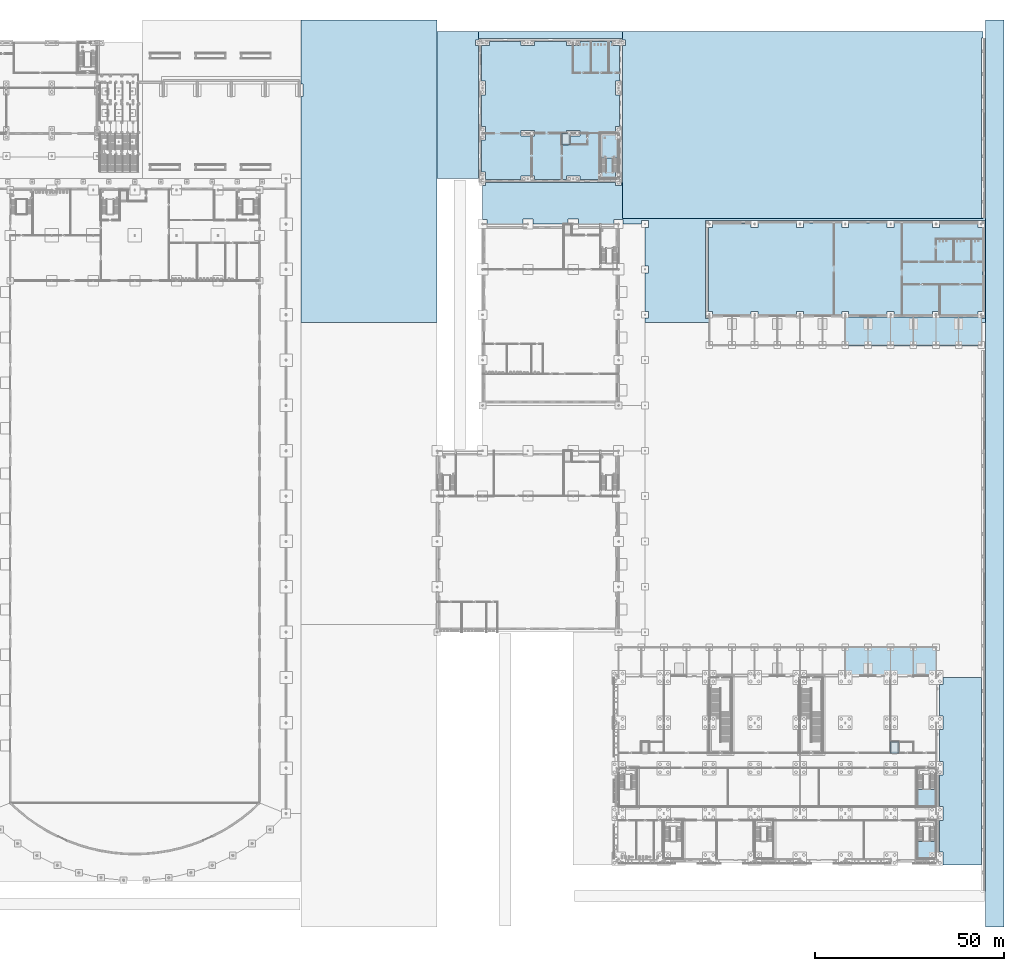
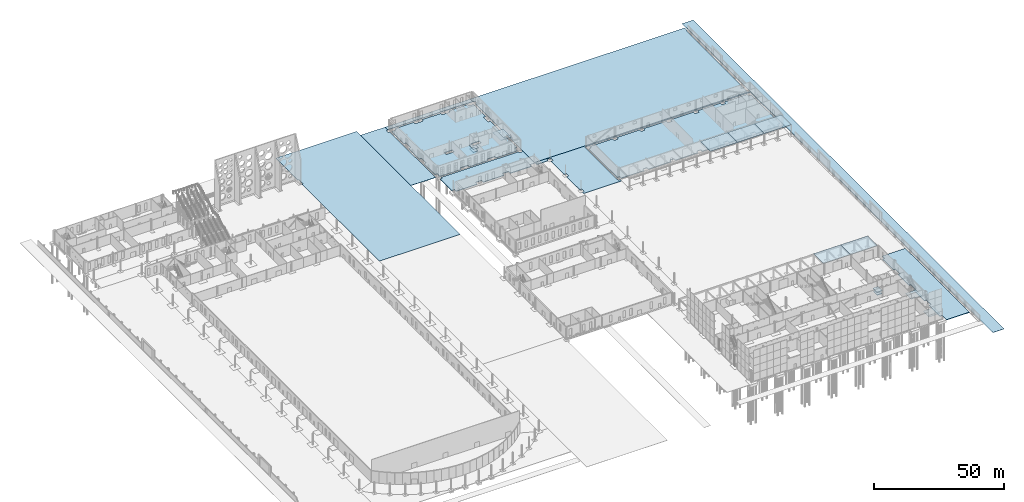
# One storey, part 58 of 132: 21 slabs, 3 elements without a shape of their own.
"""IFC4 building model written with IfcOpenShell, lengths in metres."""

from ifc_helpers import new_model, si_unit, direction, frame, origin, place, context, subcontext, project, spatial, polyline, outline, extrude, material, layer, layer_set, type_object, element, aggregate, save


model = new_model("IFC4")

# Units and contexts
model_context = context("Model", 3, precision=1e-05, world=origin(), true_north=direction((0.0, 1.0)))
body_context = subcontext(model_context, "Body", "Model", "MODEL_VIEW")
ifc_project = project(units=[si_unit("LENGTHUNIT", "METRE"), si_unit("AREAUNIT", "SQUARE_METRE"), si_unit("VOLUMEUNIT", "CUBIC_METRE"), si_unit("PLANEANGLEUNIT", "RADIAN"), si_unit("MASSUNIT", "GRAM", prefix="KILO")], contexts=[model_context])

# Site, building, storey
site_placement = place(None, origin())
site = spatial("IfcSite", under=ifc_project, at=site_placement, CompositionType="ELEMENT")
building_placement = place(site_placement, origin())
building = spatial("IfcBuilding", under=site, at=building_placement, Name="Ravi Spectrum Wholesale Market", CompositionType="ELEMENT")
storey_placement = place(building_placement, origin())
storey = spatial("IfcBuildingStorey", under=building, at=storey_placement, Name="L00", CompositionType="ELEMENT", Elevation=0.0)

# Slabs
ifc_material_1 = material(Name="Asphalt wearing course")
ifc_layer_1 = layer(ifc_material_1, 0.14990234375)
ifc_layer_set_1 = layer_set([ifc_layer_1], Name="Asphalt wearing course")
slab_type_1 = type_object("IfcSlabType", Name="Asphalt car park paving 150", PredefinedType="BASESLAB", material=ifc_layer_set_1)
slab_1_placement = place(storey_placement, frame((0.0, 0.0, -0.14990234375)))
element("IfcSlab", 1, at=slab_1_placement, inside=storey, type_object=slab_type_1, Name="Surface Car Park Paving", PredefinedType="BASESLAB", context=body_context, shape_type="SweptSolid", body=[
    extrude(outline(polyline([(294.10009765625, 187.60009765625), (294.10009765625, 235.199951171875), (294.5, 235.199951171875), (294.5, 237.0), (199.0, 237.0), (199.0, 235.06005859375), (199.06005859375, 235.06005859375), (199.06005859375, 234.75), (199.800048828125, 234.75), (199.800048828125, 233.25), (199.06005859375, 233.25), (199.06005859375, 196.93994140625), (199.0, 196.93994140625), (199.0, 187.5), (294.5, 187.5), (294.5, 187.60009765625), (294.10009765625, 187.60009765625)])), origin(), (0.0, 0.0, 1.0), 0.14990234375),
])
slab_2_placement = place(storey_placement, frame((0.0, 0.0, -0.14990234375)))
element("IfcSlab", 2, at=slab_2_placement, inside=storey, type_object=slab_type_1, Name="Motorcycle Parking Paving", PredefinedType="BASESLAB", context=body_context, shape_type="SweptSolid", body=[
    extrude(outline(polyline([(150.0, 198.0), (160.93994140625, 198.0), (160.93994140625, 233.25), (160.199951171875, 233.25), (160.199951171875, 234.75), (160.93994140625, 234.75), (160.93994140625, 235.06005859375), (161.0, 235.06005859375), (161.0, 237.0), (150.0, 237.0), (150.0, 198.0)])), origin(), (0.0, 0.0, 1.0), 0.14990234375),
])
ifc_material_2 = material(Name="Clay paver")
ifc_layer_2 = layer(ifc_material_2, 0.1201171875)
ifc_layer_set_2 = layer_set([ifc_layer_2], Name="Clay paver")
slab_type_2 = type_object("IfcSlabType", Name="Clay paver on bedding 120", PredefinedType="BASESLAB", material=ifc_layer_set_2)
slab_3_placement = place(storey_placement, frame((0.0, 0.0, -0.1201171875)))
element("IfcSlab", 3, at=slab_3_placement, inside=storey, type_object=slab_type_2, Name="East Lane Footway Paving", PredefinedType="BASESLAB", context=body_context, shape_type="SweptSolid", body=[
    extrude(outline(polyline([(300.0, 0.0), (300.0, 240.0), (295.10009765625, 240.0), (295.10009765625, 0.0), (300.0, 0.0)])), origin(), (0.0, 0.0, 1.0), 0.1201171875),
])
slab_4_placement = place(storey_placement, frame((0.0, 0.0, -0.1201171875)))
element("IfcSlab", 4, at=slab_4_placement, inside=storey, type_object=slab_type_2, Name="Public Passage Paving North", PredefinedType="BASESLAB", context=body_context, shape_type="SweptSolid", body=[
    extrude(outline(polyline([(114.5, 219.75), (114.0, 219.75), (114.0, 160.0), (150.0, 160.0), (150.0, 240.0), (114.0, 240.0), (114.0, 223.0), (114.5, 223.0), (114.5, 219.75)])), origin(), (0.0, 0.0, 1.0), 0.1201171875),
])
ifc_material_3 = material(Name="Concrete C30/37", Category="concrete")
ifc_layer_3 = layer(ifc_material_3, 0.25)
ifc_layer_set_3 = layer_set([ifc_layer_3], Name="Concrete C30/37")
slab_type_3 = type_object("IfcSlabType", Name="Concrete paving C30/37 250", PredefinedType="BASESLAB", material=ifc_layer_set_3)
slab_5_placement = place(storey_placement, frame((0.0, 0.0, -0.25)))
element("IfcSlab", 5, at=slab_5_placement, inside=storey, type_object=slab_type_3, Name="East Yard Paving", PredefinedType="BASESLAB", context=body_context, shape_type="SweptSolid", body=[
    extrude(outline(polyline([(283.800048828125, 19.800048828125), (283.800048828125, 16.39990234375), (294.10009765625, 16.39990234375), (294.10009765625, 66.0), (283.800048828125, 66.0), (283.800048828125, 64.199951171875), (282.89990234375, 64.199951171875), (282.89990234375, 55.800048828125), (283.800048828125, 55.800048828125), (283.800048828125, 52.199951171875), (282.89990234375, 52.199951171875), (282.89990234375, 43.800048828125), (283.800048828125, 43.800048828125), (283.800048828125, 40.199951171875), (282.89990234375, 40.199951171875), (282.89990234375, 31.800048828125), (283.800048828125, 31.800048828125), (283.800048828125, 28.199951171875), (282.89990234375, 28.199951171875), (282.89990234375, 19.800048828125), (283.800048828125, 19.800048828125)])), origin(), (0.0, 0.0, 1.0), 0.25),
])
slab_6_placement = place(storey_placement, frame((0.0, 0.0, -0.25)))
element("IfcSlab", 6, at=slab_6_placement, inside=storey, type_object=slab_type_3, Name="Yard paving", PredefinedType="BASESLAB", context=body_context, shape_type="SweptSolid", body=[
    extrude(outline(polyline([(272.27490234375, 45.875), (272.27490234375, 49.074951171875), (269.875, 49.074951171875), (269.875, 45.875), (272.27490234375, 45.875)])), origin(), (0.0, 0.0, 1.0), 0.25),
])
slab_7_placement = place(storey_placement, frame((0.0, 0.0, -0.25)))
element("IfcSlab", 7, at=slab_7_placement, inside=storey, type_object=slab_type_3, Name="Central Court Paving", PredefinedType="BASESLAB", context=body_context, shape_type="SweptSolid", body=[
    extrude(outline(polyline([(205.89990234375, 162.89990234375), (205.89990234375, 161.10009765625), (205.0, 161.10009765625), (205.0, 160.0), (222.0, 160.0), (222.0, 161.06005859375), (221.06005859375, 161.06005859375), (221.06005859375, 186.93994140625), (294.93994140625, 186.93994140625), (294.93994140625, 161.06005859375), (294.0, 161.06005859375), (294.0, 160.0), (295.10009765625, 160.0), (295.10009765625, 187.60009765625), (294.5, 187.60009765625), (294.5, 187.5), (199.0, 187.5), (199.0, 196.93994140625), (198.75, 196.93994140625), (198.75, 196.199951171875), (197.25, 196.199951171875), (197.25, 196.93994140625), (162.75, 196.93994140625), (162.75, 196.199951171875), (162.0, 196.199951171875), (162.0, 187.199951171875), (163.199951171875, 187.199951171875), (163.199951171875, 186.0), (172.64990234375, 186.0), (172.64990234375, 187.35009765625), (175.35009765625, 187.35009765625), (175.35009765625, 186.0), (184.64990234375, 186.0), (184.64990234375, 187.35009765625), (187.35009765625, 187.35009765625), (187.35009765625, 186.0), (196.800048828125, 186.0), (196.800048828125, 187.199951171875), (199.199951171875, 187.199951171875), (199.199951171875, 186.0), (204.10009765625, 186.0), (204.10009765625, 186.89990234375), (205.89990234375, 186.89990234375), (205.89990234375, 185.10009765625), (205.0, 185.10009765625), (205.0, 174.89990234375), (205.89990234375, 174.89990234375), (205.89990234375, 173.10009765625), (205.0, 173.10009765625), (205.0, 162.89990234375), (205.89990234375, 162.89990234375)])), origin(), (0.0, 0.0, 1.0), 0.25),
])
slab_8_placement = place(storey_placement, frame((0.0, 0.0, -0.25)))
element("IfcSlab", 8, at=slab_8_placement, inside=storey, type_object=slab_type_3, Name="Yard paving", PredefinedType="BASESLAB", context=body_context, shape_type="SweptSolid", body=[
    extrude(outline(polyline([(185.27490234375, 209.25), (184.199951171875, 209.25), (184.199951171875, 210.125), (182.875, 210.125), (182.875, 206.925048828125), (185.27490234375, 206.925048828125), (185.27490234375, 209.25)])), origin(), (0.0, 0.0, 1.0), 0.25),
])
slab_9_placement = place(storey_placement, frame((0.0, 0.0, -0.25)))
element("IfcSlab", 9, at=slab_9_placement, inside=storey, type_object=slab_type_3, Name="Central Court Paving", PredefinedType="BASESLAB", context=body_context, shape_type="SweptSolid", body=[
    extrude(outline(polyline([(161.0, 237.0), (161.0, 235.06005859375), (199.0, 235.06005859375), (199.0, 237.0), (161.0, 237.0)])), origin(), (0.0, 0.0, 1.0), 0.25),
])
ifc_material_4 = material(Name="Concrete C35/45", Category="concrete")
ifc_layer_4 = layer(ifc_material_4, 0.300048828125)
ifc_layer_set_4 = layer_set([ifc_layer_4], Name="Concrete C35/45")
slab_type_4 = type_object("IfcSlabType", Name="Ground slab 300", PredefinedType="BASESLAB", material=ifc_layer_set_4)
slab_10_placement = place(storey_placement, frame((0.0, 0.0, -0.300048828125)))
element("IfcSlab", 10, at=slab_10_placement, inside=storey, type_object=slab_type_4, Name="Auction floor slab", PredefinedType="BASESLAB", context=body_context, shape_type="SweptSolid", body=[
    extrude(outline(polyline([(198.25, 199.800048828125), (197.25, 199.800048828125), (197.25, 197.75), (187.800048828125, 197.75), (187.800048828125, 198.75), (184.199951171875, 198.75), (184.199951171875, 197.75), (175.800048828125, 197.75), (175.800048828125, 198.75), (172.199951171875, 198.75), (172.199951171875, 197.75), (162.75, 197.75), (162.75, 199.800048828125), (161.75, 199.800048828125), (161.75, 208.199951171875), (162.75, 208.199951171875), (162.75, 211.800048828125), (161.75, 211.800048828125), (161.75, 220.199951171875), (162.75, 220.199951171875), (162.75, 223.800048828125), (161.75, 223.800048828125), (161.75, 233.25), (163.800048828125, 233.25), (163.800048828125, 234.25), (172.199951171875, 234.25), (172.199951171875, 233.25), (175.800048828125, 233.25), (175.800048828125, 234.25), (184.199951171875, 234.25), (184.199951171875, 233.25), (187.800048828125, 233.25), (187.800048828125, 234.25), (196.199951171875, 234.25), (196.199951171875, 233.25), (198.25, 233.25), (198.25, 223.800048828125), (197.25, 223.800048828125), (197.25, 220.199951171875), (198.25, 220.199951171875), (198.25, 211.800048828125), (197.25, 211.800048828125), (197.25, 208.199951171875), (198.25, 208.199951171875), (198.25, 199.800048828125)]), holes=[polyline([(185.27490234375, 206.925048828125), (185.27490234375, 209.25), (187.800048828125, 209.25), (187.800048828125, 210.75), (184.199951171875, 210.75), (184.199951171875, 210.125), (182.875, 210.125), (182.875, 206.925048828125), (185.27490234375, 206.925048828125)]), polyline([(175.800048828125, 209.25), (175.800048828125, 210.75), (172.199951171875, 210.75), (172.199951171875, 209.25), (175.800048828125, 209.25)])]), origin(), (0.0, 0.0, 1.0), 0.300048828125),
])
slab_11_placement = place(storey_placement, frame((0.0, 0.0, -0.300048828125)))
element("IfcSlab", 11, at=slab_11_placement, inside=storey, type_object=slab_type_4, Name="Store floor slab", PredefinedType="BASESLAB", context=body_context, shape_type="SweptSolid", body=[
    extrude(outline(polyline([(294.25, 162.89990234375), (293.10009765625, 162.89990234375), (293.10009765625, 161.75), (282.89990234375, 161.75), (282.89990234375, 162.89990234375), (281.10009765625, 162.89990234375), (281.10009765625, 161.75), (270.89990234375, 161.75), (270.89990234375, 162.89990234375), (269.10009765625, 162.89990234375), (269.10009765625, 161.75), (258.89990234375, 161.75), (258.89990234375, 162.89990234375), (257.10009765625, 162.89990234375), (257.10009765625, 161.75), (246.89990234375, 161.75), (246.89990234375, 162.89990234375), (245.10009765625, 162.89990234375), (245.10009765625, 161.75), (234.89990234375, 161.75), (234.89990234375, 162.89990234375), (233.10009765625, 162.89990234375), (233.10009765625, 161.75), (222.89990234375, 161.75), (222.89990234375, 162.89990234375), (221.75, 162.89990234375), (221.75, 185.10009765625), (222.89990234375, 185.10009765625), (222.89990234375, 186.25), (233.10009765625, 186.25), (233.10009765625, 185.10009765625), (234.89990234375, 185.10009765625), (234.89990234375, 186.25), (245.10009765625, 186.25), (245.10009765625, 185.10009765625), (246.89990234375, 185.10009765625), (246.89990234375, 186.25), (257.10009765625, 186.25), (257.10009765625, 185.10009765625), (258.89990234375, 185.10009765625), (258.89990234375, 186.25), (269.10009765625, 186.25), (269.10009765625, 185.10009765625), (270.89990234375, 185.10009765625), (270.89990234375, 186.25), (281.10009765625, 186.25), (281.10009765625, 185.10009765625), (282.89990234375, 185.10009765625), (282.89990234375, 186.25), (293.10009765625, 186.25), (293.10009765625, 185.10009765625), (294.25, 185.10009765625), (294.25, 162.89990234375)])), origin(), (0.0, 0.0, 1.0), 0.300048828125),
])
ifc_material_5 = material(Name="Concrete C35/45", Category="concrete")
ifc_layer_5 = layer(ifc_material_5, 0.300048828125)
ifc_layer_set_5 = layer_set([ifc_layer_5], Name="Concrete C35/45")
slab_type_5 = type_object("IfcSlabType", Name="Pit slab 300", PredefinedType="BASESLAB", material=ifc_layer_set_5)
slab_12_placement = place(storey_placement, frame((0.0, 0.0, -1.699951171875)))
element("IfcSlab", 12, at=slab_12_placement, inside=storey, type_object=slab_type_5, Name="AU-SL-L00-LF-AU-1-PIT", PredefinedType="BASESLAB", context=body_context, shape_type="SweptSolid", body=[
    extrude(outline(polyline([(183.0, 207.050048828125), (185.14990234375, 207.050048828125), (185.14990234375, 210.0), (183.0, 210.0), (183.0, 207.050048828125)])), origin(), (0.0, 0.0, 1.0), 0.300048828125),
])
slab_13_placement = place(storey_placement, frame((0.0, 0.0, -1.699951171875)))
element("IfcSlab", 13, at=slab_13_placement, inside=storey, type_object=slab_type_5, Name="CS-SL-L00-LF-CS-2-PIT", PredefinedType="BASESLAB", context=body_context, shape_type="SweptSolid", body=[
    extrude(outline(polyline([(270.0, 46.0), (272.14990234375, 46.0), (272.14990234375, 48.949951171875), (270.0, 48.949951171875), (270.0, 46.0)])), origin(), (0.0, 0.0, 1.0), 0.300048828125),
])
ifc_material_6 = material(Name="Steel S355", Category="steel")
ifc_layer_6 = layer(ifc_material_6, 0.1201171875)
ifc_layer_set_6 = layer_set([ifc_layer_6], Name="Steel S355")
slab_type_6 = type_object("IfcSlabType", Name="Roof deck 120", PredefinedType="ROOF", material=ifc_layer_set_6)
slab_14_placement = place(storey_placement, frame((0.0, 0.0, 4.97998046875)))
element("IfcSlab", 14, at=slab_14_placement, inside=storey, type_object=slab_type_6, Name="Dock canopy deck", PredefinedType="ROOF", context=body_context, shape_type="SweptSolid", body=[
    extrude(outline(polyline([(270.0, 66.550048828125), (270.0, 74.227783203125), (258.0, 74.227783203125), (258.0, 66.550048828125), (270.0, 66.550048828125)])), origin(), (0.0, 0.0, 1.0), 0.1201171875),
])
slab_15_placement = place(storey_placement, frame((0.0, 0.0, 4.97998046875)))
element("IfcSlab", 15, at=slab_15_placement, inside=storey, type_object=slab_type_6, Name="Dock canopy deck", PredefinedType="ROOF", context=body_context, shape_type="SweptSolid", body=[
    extrude(outline(polyline([(282.0, 66.550048828125), (282.0, 74.227783203125), (270.0, 74.227783203125), (270.0, 66.550048828125), (282.0, 66.550048828125)])), origin(), (0.0, 0.0, 1.0), 0.1201171875),
])
slab_16_placement = place(storey_placement, frame((0.0, 0.0, 4.97998046875)))
element("IfcSlab", 16, at=slab_16_placement, inside=storey, type_object=slab_type_6, Name="Dock canopy deck", PredefinedType="ROOF", context=body_context, shape_type="SweptSolid", body=[
    extrude(outline(polyline([(270.0, 153.772216796875), (270.0, 161.409912109375), (258.0, 161.409912109375), (258.0, 153.772216796875), (270.0, 153.772216796875)])), origin(), (0.0, 0.0, 1.0), 0.1201171875),
])
slab_17_placement = place(storey_placement, frame((0.0, 0.0, 4.97998046875)))
element("IfcSlab", 17, at=slab_17_placement, inside=storey, type_object=slab_type_6, Name="Dock canopy deck", PredefinedType="ROOF", context=body_context, shape_type="SweptSolid", body=[
    extrude(outline(polyline([(282.0, 153.772216796875), (282.0, 161.409912109375), (270.0, 161.409912109375), (270.0, 153.772216796875), (282.0, 153.772216796875)])), origin(), (0.0, 0.0, 1.0), 0.1201171875),
])
slab_18_placement = place(storey_placement, frame((0.0, 0.0, 4.97998046875)))
element("IfcSlab", 18, at=slab_18_placement, inside=storey, type_object=slab_type_6, Name="Dock canopy deck", PredefinedType="ROOF", context=body_context, shape_type="SweptSolid", body=[
    extrude(outline(polyline([(294.0, 153.772216796875), (294.0, 161.409912109375), (282.0, 161.409912109375), (282.0, 153.772216796875), (294.0, 153.772216796875)])), origin(), (0.0, 0.0, 1.0), 0.1201171875),
])

# Stair, slab
ifc_material_7 = material(Name="Concrete C35/45", Category="concrete")
stair_type = type_object("IfcStairType", Name="Stair", PredefinedType="NOTDEFINED", material=ifc_material_7)
stair_1_placement = place(storey_placement, origin())
stair_1 = element("IfcStair", 19, at=stair_1_placement, inside=storey, type_object=stair_type, Name="L00 S-AU-1", PredefinedType="HALF_TURN_STAIR")
ifc_material_8 = material(Name="Concrete C35/45", Category="concrete")
ifc_layer_7 = layer(ifc_material_8, 0.199951171875)
ifc_layer_set_7 = layer_set([ifc_layer_7], Name="Concrete C35/45")
slab_type_7 = type_object("IfcSlabType", Name="Stair landing 200", PredefinedType="LANDING", material=ifc_layer_set_7)
slab_19_placement = place(storey_placement, frame((0.0, 0.0, 2.5)))
slab_19 = element("IfcSlab", 20, at=slab_19_placement, type_object=slab_type_7, Name="S-AU-1 landing 1", PredefinedType="LANDING", context=body_context, shape_type="SweptSolid", body=[
    extrude(outline(polyline([(197.89990234375, 203.52001953125), (197.89990234375, 209.89990234375), (193.300048828125, 209.89990234375), (193.300048828125, 203.52001953125), (197.89990234375, 203.52001953125)])), origin(), (0.0, 0.0, 1.0), 0.199951171875),
])
aggregate(stair_1, [slab_19])

stair_2_placement = place(storey_placement, origin())
stair_2 = element("IfcStair", 21, at=stair_2_placement, inside=storey, type_object=stair_type, Name="L00 S-CS-2", PredefinedType="HALF_TURN_STAIR")
slab_20_placement = place(storey_placement, frame((0.0, 0.0, 2.5)))
slab_20 = element("IfcSlab", 22, at=slab_20_placement, type_object=slab_type_7, Name="S-CS-2 landing 1", PredefinedType="LANDING", context=body_context, shape_type="SweptSolid", body=[
    extrude(outline(polyline([(277.125, 36.429931640625), (277.125, 31.925048828125), (281.875, 31.925048828125), (281.875, 36.429931640625), (277.125, 36.429931640625)])), origin(), (0.0, 0.0, 1.0), 0.199951171875),
])
aggregate(stair_2, [slab_20])

stair_3_placement = place(storey_placement, origin())
stair_3 = element("IfcStair", 23, at=stair_3_placement, inside=storey, type_object=stair_type, Name="L00 S-CS-7", PredefinedType="HALF_TURN_STAIR")
slab_21_placement = place(storey_placement, frame((0.0, 0.0, 2.5)))
slab_21 = element("IfcSlab", 24, at=slab_21_placement, type_object=slab_type_7, Name="S-CS-7 landing 1", PredefinedType="LANDING", context=body_context, shape_type="SweptSolid", body=[
    extrude(outline(polyline([(277.125, 22.6298828125), (277.125, 18.125), (281.875, 18.125), (281.875, 22.6298828125), (277.125, 22.6298828125)])), origin(), (0.0, 0.0, 1.0), 0.199951171875),
])
aggregate(stair_3, [slab_21])

save(model, "model.ifc")
